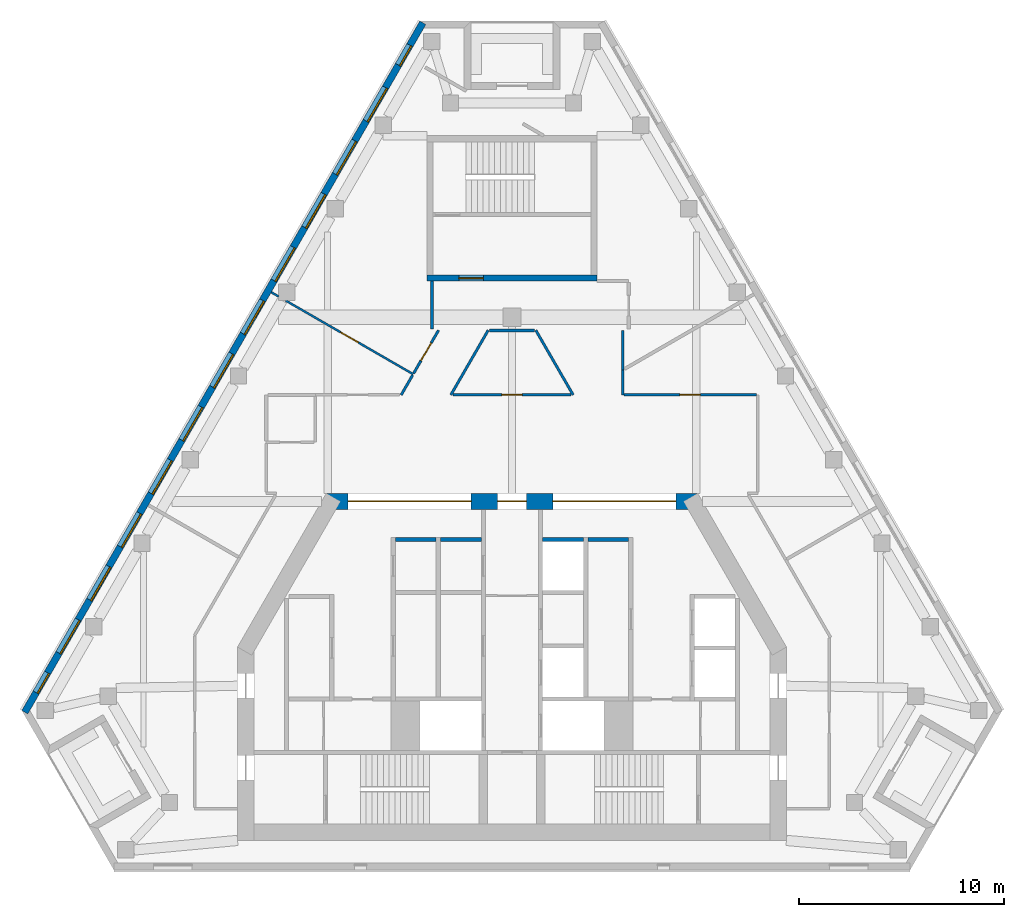
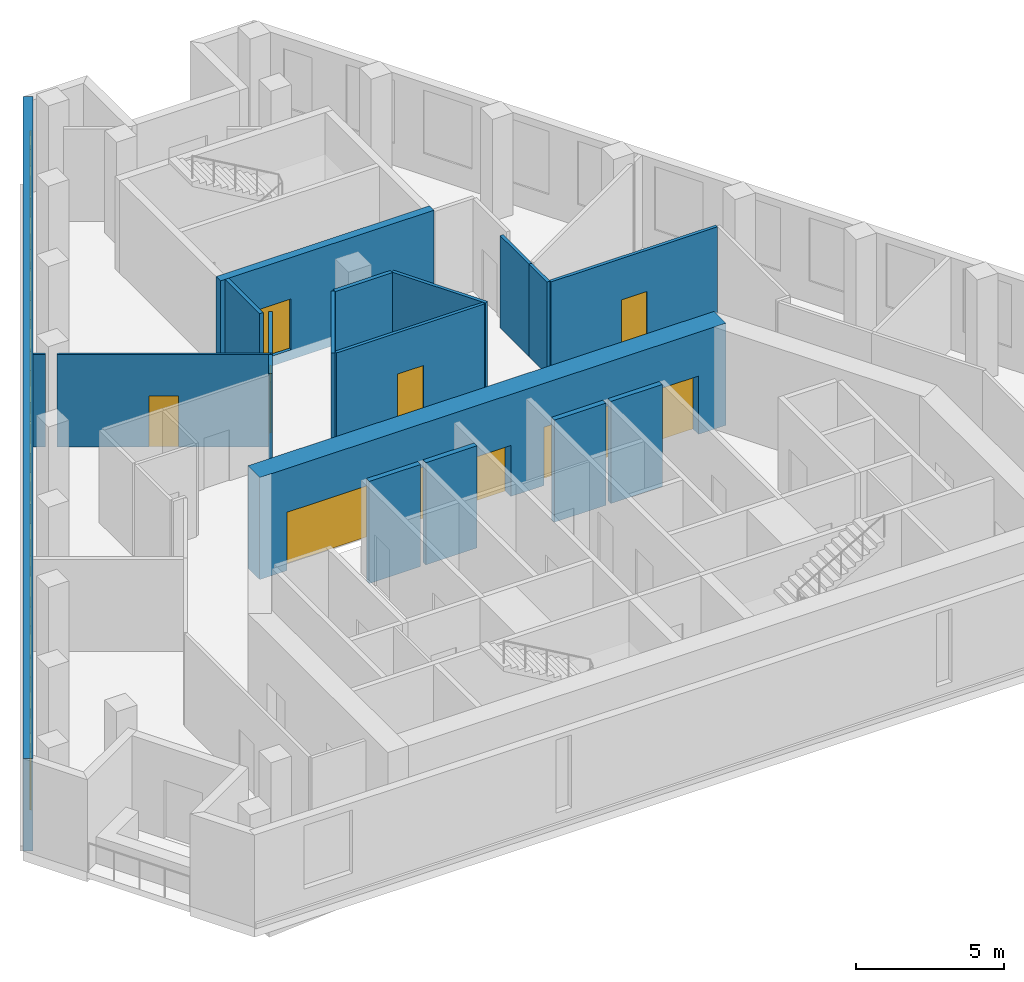
# One storey, part 4 of 8: 19 walls, 13 windows, 8 doors, 21 openings.
"""IFC4 building model written with IfcOpenShell, lengths in metres."""

from ifc_helpers import new_model, si_unit, direction, frame, frame_2d, origin, place, context, subcontext, project, spatial, rectangle, extrude, material, layer, layer_set, type_object, element, fill, save


model = new_model("IFC4")

# Units and contexts
model_context = context("Model", 3, precision=1e-05, world=origin(), true_north=direction((0.0, 1.0)))
body_context = subcontext(model_context, "Body", "Model", "MODEL_VIEW")
ifc_project = project(units=[si_unit("LENGTHUNIT", "METRE"), si_unit("AREAUNIT", "SQUARE_METRE"), si_unit("VOLUMEUNIT", "CUBIC_METRE"), si_unit("PLANEANGLEUNIT", "RADIAN"), si_unit("MASSUNIT", "GRAM", prefix="KILO")], contexts=[model_context])

# Site, building, storey
site_placement = place(None, origin())
site = spatial("IfcSite", under=ifc_project, at=site_placement, CompositionType="ELEMENT")
building_placement = place(site_placement, origin())
building = spatial("IfcBuilding", under=site, at=building_placement, Name="Fogline Exchange Tower", CompositionType="ELEMENT")
storey_placement = place(building_placement, frame((0.0, 0.0, 335.10009765625)))
storey = spatial("IfcBuildingStorey", under=building, at=storey_placement, Name="L76", CompositionType="ELEMENT", Elevation=335.10009765625)

# Walls
ifc_material_1 = material(Name="Concrete C40", Category="concrete")
ifc_layer_1 = layer(ifc_material_1, 0.199951171875)
ifc_layer_set_1 = layer_set([ifc_layer_1], Name="CW20S")
wall_type_1 = type_object("IfcWallType", Name="CW20S", PredefinedType="SOLIDWALL", material=ifc_layer_set_1)
for number, where, z_axis, x_axis, name in (
    (1, (-5.699951171875, 16.14990234375, -0.400146484375), (0.0, 0.0, 1.0), (1.0, 0.0, 0.0), "Lift shaft wall"),
    (2, (-3.5, 16.14990234375, -0.400146484375), (0.0, 0.0, 1.0), (1.0, 0.0, 0.0), "Lift shaft wall"),
    (3, (3.699951171875, 16.14990234375, -0.400146484375), (0.0, 0.0, 1.0), (1.0, 0.0, 0.0), "Lift shaft wall"),
    (4, (1.5, 16.14990234375, -0.400146484375), (0.0, 0.0, 1.0), (1.0, 0.0, 0.0), "Lift shaft wall"),
):
    element("IfcWall", number, at=place(storey_placement, frame(where, z_axis=z_axis, x_axis=x_axis)), inside=storey, type_object=wall_type_1, Name=name, PredefinedType="SOLIDWALL", context=body_context, shape_type="SweptSolid", body=[
        extrude(rectangle(XDim=2.0, YDim=0.199951171875, at=frame_2d((1.0, 0.0))), origin(), (0.0, 0.0, 1.0), 4.199951171875),
    ])

# Wall, opening, door
ifc_layer_2 = layer(ifc_material_1, 0.300048828125)
ifc_layer_set_2 = layer_set([ifc_layer_2], Name="CW30")
wall_type_2 = type_object("IfcWallType", Name="CW30", PredefinedType="SOLIDWALL", material=ifc_layer_set_2)
wall_1_placement = place(storey_placement, frame((-4.14990234375, 28.906982421875, -0.400146484375), z_axis=(0.0, 0.0, 1.0), x_axis=(1.0, 0.0, 0.0)))
wall_1 = element("IfcWall", 5, at=wall_1_placement, inside=storey, type_object=wall_type_2, Name="Stair enclosure wall ST3", PredefinedType="SOLIDWALL", context=body_context, shape_type="SweptSolid", body=[
    extrude(rectangle(XDim=8.2998046875, YDim=0.300048828125, at=frame_2d((4.14990234375, 0.0))), origin(), (0.0, 0.0, 1.0), 4.199951171875),
])
opening_1_placement = place(wall_1_placement, frame((1.550048828125, 0.0, 0.39990234375)))
opening_1 = element("IfcOpeningElement", 6, at=opening_1_placement, cuts=wall_1, Name="Opening T24-C023", PredefinedType="OPENING", context=body_context, shape_type="SweptSolid", body=[
    extrude(rectangle(XDim=1.199951171875, YDim=2.10009765625, at=frame_2d((0.60009765625, 1.050048828125))), frame((0.0, 0.16015625, 0.0), z_axis=(0.0, -1.0, 0.0), x_axis=(1.0, 0.0, 0.0)), (0.0, 0.0, 1.0), 0.320068359375),
])
ifc_material_2 = material(Name="Steel and timber fire door", Category="steel")
door_type_1 = type_object("IfcDoorType", Name="D-FR1", OperationType="SINGLE_SWING_RIGHT", PredefinedType="DOOR", material=ifc_material_2)
door_1_placement = place(opening_1_placement, origin())
door_1 = element("IfcDoor", 7, at=door_1_placement, inside=storey, type_object=door_type_1, Name="Front room door ST3", OperationType="SINGLE_SWING_LEFT", OverallHeight=2.10009765625, OverallWidth=1.199951171875, PredefinedType="DOOR", context=body_context, shape_type="SweptSolid", body=[
    extrude(rectangle(XDim=1.199951171875, YDim=2.10009765625, at=frame_2d((0.60009765625, 1.050048828125))), frame((0.0, 0.02490234375, 0.0), z_axis=(0.0, -1.0, 0.0), x_axis=(1.0, 0.0, 0.0)), (0.0, 0.0, 1.0), 0.050048828125),
])
fill(opening_1, door_1)

# Wall, openings, windows
ifc_material_3 = material(Name="Brick masonry", Category="masonry")
ifc_layer_3 = layer(ifc_material_3, 0.340087890625)
ifc_layer_set_3 = layer_set([ifc_layer_3], Name="FW1")
wall_type_3 = type_object("IfcWallType", Name="FW1", PredefinedType="SOLIDWALL", material=ifc_layer_set_3)
wall_2_placement = place(storey_placement, frame((-4.352783203125, 41.37158203125, 0.0), z_axis=(0.0, 0.0, 1.0), x_axis=(-0.500001731347, -0.866024404189, 0.0)))
wall_2 = element("IfcWall", 8, at=wall_2_placement, inside=storey, type_object=wall_type_3, Name="Brick wall L76 W", PredefinedType="SOLIDWALL", context=body_context, shape_type="SweptSolid", body=[
    extrude(rectangle(XDim=38.869873046875, YDim=0.340087890625, at=frame_2d((19.43505859375, 0.0))), origin(), (0.0, 0.0, 1.0), 3.7998046875),
])
opening_2_placement = place(wall_2_placement, frame((3.652587890625, 0.0, 0.89990234375)))
opening_2 = element("IfcOpeningElement", 9, at=opening_2_placement, cuts=wall_2, Name="Opening W3", PredefinedType="OPENING", context=body_context, shape_type="SweptSolid", body=[
    extrude(rectangle(XDim=1.885009765625, YDim=2.60009765625, at=frame_2d((0.9423828125, 1.300048828125))), frame((0.0, 0.18017578125, 0.0), z_axis=(0.0, -1.0, 0.0), x_axis=(1.0, 0.0, 0.0)), (0.0, 0.0, 1.0), 0.360107421875),
])
opening_3_placement = place(wall_2_placement, frame((6.652587890625, 0.0, 0.89990234375)))
opening_3 = element("IfcOpeningElement", 10, at=opening_3_placement, cuts=wall_2, Name="Opening W3", PredefinedType="OPENING", context=body_context, shape_type="SweptSolid", body=[
    extrude(rectangle(XDim=1.885009765625, YDim=2.60009765625, at=frame_2d((0.9423828125, 1.300048828125))), frame((0.0, 0.18017578125, 0.0), z_axis=(0.0, -1.0, 0.0), x_axis=(1.0, 0.0, 0.0)), (0.0, 0.0, 1.0), 0.360107421875),
])
opening_4_placement = place(wall_2_placement, frame((9.652587890625, 0.0, 0.89990234375)))
opening_4 = element("IfcOpeningElement", 11, at=opening_4_placement, cuts=wall_2, Name="Opening W3", PredefinedType="OPENING", context=body_context, shape_type="SweptSolid", body=[
    extrude(rectangle(XDim=1.885009765625, YDim=2.60009765625, at=frame_2d((0.9423828125, 1.300048828125))), frame((0.0, 0.18017578125, 0.0), z_axis=(0.0, -1.0, 0.0), x_axis=(1.0, 0.0, 0.0)), (0.0, 0.0, 1.0), 0.360107421875),
])
opening_5_placement = place(wall_2_placement, frame((12.652587890625, 0.0, 0.89990234375)))
opening_5 = element("IfcOpeningElement", 12, at=opening_5_placement, cuts=wall_2, Name="Opening W3", PredefinedType="OPENING", context=body_context, shape_type="SweptSolid", body=[
    extrude(rectangle(XDim=1.885009765625, YDim=2.60009765625, at=frame_2d((0.9423828125, 1.300048828125))), frame((0.0, 0.18017578125, 0.0), z_axis=(0.0, -1.0, 0.0), x_axis=(1.0, 0.0, 0.0)), (0.0, 0.0, 1.0), 0.360107421875),
])
opening_6_placement = place(wall_2_placement, frame((15.652587890625, 0.0, 0.89990234375)))
opening_6 = element("IfcOpeningElement", 13, at=opening_6_placement, cuts=wall_2, Name="Opening W3", PredefinedType="OPENING", context=body_context, shape_type="SweptSolid", body=[
    extrude(rectangle(XDim=1.885009765625, YDim=2.60009765625, at=frame_2d((0.9423828125, 1.300048828125))), frame((0.0, 0.18017578125, 0.0), z_axis=(0.0, -1.0, 0.0), x_axis=(1.0, 0.0, 0.0)), (0.0, 0.0, 1.0), 0.360107421875),
])
opening_7_placement = place(wall_2_placement, frame((18.652587890625, 0.0, 0.89990234375)))
opening_7 = element("IfcOpeningElement", 14, at=opening_7_placement, cuts=wall_2, Name="Opening W3", PredefinedType="OPENING", context=body_context, shape_type="SweptSolid", body=[
    extrude(rectangle(XDim=1.885009765625, YDim=2.60009765625, at=frame_2d((0.9423828125, 1.300048828125))), frame((0.0, 0.18017578125, 0.0), z_axis=(0.0, -1.0, 0.0), x_axis=(1.0, 0.0, 0.0)), (0.0, 0.0, 1.0), 0.360107421875),
])
opening_8_placement = place(wall_2_placement, frame((21.652587890625, 0.0, 0.89990234375)))
opening_8 = element("IfcOpeningElement", 15, at=opening_8_placement, cuts=wall_2, Name="Opening W3", PredefinedType="OPENING", context=body_context, shape_type="SweptSolid", body=[
    extrude(rectangle(XDim=1.885009765625, YDim=2.60009765625, at=frame_2d((0.9423828125, 1.300048828125))), frame((0.0, 0.18017578125, 0.0), z_axis=(0.0, -1.0, 0.0), x_axis=(1.0, 0.0, 0.0)), (0.0, 0.0, 1.0), 0.360107421875),
])
opening_9_placement = place(wall_2_placement, frame((24.652587890625, 0.0, 0.89990234375)))
opening_9 = element("IfcOpeningElement", 16, at=opening_9_placement, cuts=wall_2, Name="Opening W3", PredefinedType="OPENING", context=body_context, shape_type="SweptSolid", body=[
    extrude(rectangle(XDim=1.885009765625, YDim=2.60009765625, at=frame_2d((0.9423828125, 1.300048828125))), frame((0.0, 0.18017578125, 0.0), z_axis=(0.0, -1.0, 0.0), x_axis=(1.0, 0.0, 0.0)), (0.0, 0.0, 1.0), 0.360107421875),
])
opening_10_placement = place(wall_2_placement, frame((27.652587890625, 0.0, 0.89990234375)))
opening_10 = element("IfcOpeningElement", 17, at=opening_10_placement, cuts=wall_2, Name="Opening W3", PredefinedType="OPENING", context=body_context, shape_type="SweptSolid", body=[
    extrude(rectangle(XDim=1.885009765625, YDim=2.60009765625, at=frame_2d((0.9423828125, 1.300048828125))), frame((0.0, 0.18017578125, 0.0), z_axis=(0.0, -1.0, 0.0), x_axis=(1.0, 0.0, 0.0)), (0.0, 0.0, 1.0), 0.360107421875),
])
opening_11_placement = place(wall_2_placement, frame((30.652587890625, 0.0, 0.89990234375)))
opening_11 = element("IfcOpeningElement", 18, at=opening_11_placement, cuts=wall_2, Name="Opening W3", PredefinedType="OPENING", context=body_context, shape_type="SweptSolid", body=[
    extrude(rectangle(XDim=1.885009765625, YDim=2.60009765625, at=frame_2d((0.9423828125, 1.300048828125))), frame((0.0, 0.18017578125, 0.0), z_axis=(0.0, -1.0, 0.0), x_axis=(1.0, 0.0, 0.0)), (0.0, 0.0, 1.0), 0.360107421875),
])
opening_12_placement = place(wall_2_placement, frame((33.652587890625, 0.0, 0.89990234375)))
opening_12 = element("IfcOpeningElement", 19, at=opening_12_placement, cuts=wall_2, Name="Opening W3", PredefinedType="OPENING", context=body_context, shape_type="SweptSolid", body=[
    extrude(rectangle(XDim=1.885009765625, YDim=2.60009765625, at=frame_2d((0.9423828125, 1.300048828125))), frame((0.0, 0.18017578125, 0.0), z_axis=(0.0, -1.0, 0.0), x_axis=(1.0, 0.0, 0.0)), (0.0, 0.0, 1.0), 0.360107421875),
])
opening_13_placement = place(wall_2_placement, frame((1.268798828125, 0.0, 0.89990234375)))
opening_13 = element("IfcOpeningElement", 20, at=opening_13_placement, cuts=wall_2, Name="Opening W4", PredefinedType="OPENING", context=body_context, shape_type="SweptSolid", body=[
    extrude(rectangle(XDim=1.114990234375, YDim=2.39990234375, at=frame_2d((0.5576171875, 1.199951171875))), frame((0.0, 0.18017578125, 0.0), z_axis=(0.0, -1.0, 0.0), x_axis=(1.0, 0.0, 0.0)), (0.0, 0.0, 1.0), 0.360107421875),
])
opening_14_placement = place(wall_2_placement, frame((36.646240234375, 0.0, 0.89990234375)))
opening_14 = element("IfcOpeningElement", 21, at=opening_14_placement, cuts=wall_2, Name="Opening W4", PredefinedType="OPENING", context=body_context, shape_type="SweptSolid", body=[
    extrude(rectangle(XDim=1.114990234375, YDim=2.39990234375, at=frame_2d((0.5576171875, 1.199951171875))), frame((0.0, 0.18017578125, 0.0), z_axis=(0.0, -1.0, 0.0), x_axis=(1.0, 0.0, 0.0)), (0.0, 0.0, 1.0), 0.360107421875),
])
ifc_material_4 = material(Name="Aluminium and glass", Category="aluminium")
window_type_1 = type_object("IfcWindowType", Name="W3", PartitioningType="SINGLE_PANEL", PredefinedType="WINDOW", material=ifc_material_4)
window_1_placement = place(opening_2_placement, origin())
window_1 = element("IfcWindow", 22, at=window_1_placement, inside=storey, type_object=window_type_1, Name="W3 W3", OverallHeight=2.60009765625, OverallWidth=1.885009765625, PartitioningType="SINGLE_PANEL", PredefinedType="WINDOW", context=body_context, shape_type="SweptSolid", body=[
    extrude(rectangle(XDim=1.885009765625, YDim=2.60009765625, at=frame_2d((0.9423828125, 1.300048828125))), frame((0.0, 0.110107421875, 0.0), z_axis=(0.0, -1.0, 0.0), x_axis=(1.0, 0.0, 0.0)), (0.0, 0.0, 1.0), 0.06005859375),
])
fill(opening_2, window_1)
window_2_placement = place(opening_3_placement, origin())
window_2 = element("IfcWindow", 23, at=window_2_placement, inside=storey, type_object=window_type_1, Name="W3 W3", OverallHeight=2.60009765625, OverallWidth=1.885009765625, PartitioningType="SINGLE_PANEL", PredefinedType="WINDOW", context=body_context, shape_type="SweptSolid", body=[
    extrude(rectangle(XDim=1.885009765625, YDim=2.60009765625, at=frame_2d((0.9423828125, 1.300048828125))), frame((0.0, 0.110107421875, 0.0), z_axis=(0.0, -1.0, 0.0), x_axis=(1.0, 0.0, 0.0)), (0.0, 0.0, 1.0), 0.06005859375),
])
fill(opening_3, window_2)
window_3_placement = place(opening_4_placement, origin())
window_3 = element("IfcWindow", 24, at=window_3_placement, inside=storey, type_object=window_type_1, Name="W3 W3", OverallHeight=2.60009765625, OverallWidth=1.885009765625, PartitioningType="SINGLE_PANEL", PredefinedType="WINDOW", context=body_context, shape_type="SweptSolid", body=[
    extrude(rectangle(XDim=1.885009765625, YDim=2.60009765625, at=frame_2d((0.9423828125, 1.300048828125))), frame((0.0, 0.110107421875, 0.0), z_axis=(0.0, -1.0, 0.0), x_axis=(1.0, 0.0, 0.0)), (0.0, 0.0, 1.0), 0.06005859375),
])
fill(opening_4, window_3)
window_4_placement = place(opening_5_placement, origin())
window_4 = element("IfcWindow", 25, at=window_4_placement, inside=storey, type_object=window_type_1, Name="W3 W3", OverallHeight=2.60009765625, OverallWidth=1.885009765625, PartitioningType="SINGLE_PANEL", PredefinedType="WINDOW", context=body_context, shape_type="SweptSolid", body=[
    extrude(rectangle(XDim=1.885009765625, YDim=2.60009765625, at=frame_2d((0.9423828125, 1.300048828125))), frame((0.0, 0.110107421875, 0.0), z_axis=(0.0, -1.0, 0.0), x_axis=(1.0, 0.0, 0.0)), (0.0, 0.0, 1.0), 0.06005859375),
])
fill(opening_5, window_4)
window_5_placement = place(opening_6_placement, origin())
window_5 = element("IfcWindow", 26, at=window_5_placement, inside=storey, type_object=window_type_1, Name="W3 W3", OverallHeight=2.60009765625, OverallWidth=1.885009765625, PartitioningType="SINGLE_PANEL", PredefinedType="WINDOW", context=body_context, shape_type="SweptSolid", body=[
    extrude(rectangle(XDim=1.885009765625, YDim=2.60009765625, at=frame_2d((0.9423828125, 1.300048828125))), frame((0.0, 0.110107421875, 0.0), z_axis=(0.0, -1.0, 0.0), x_axis=(1.0, 0.0, 0.0)), (0.0, 0.0, 1.0), 0.06005859375),
])
fill(opening_6, window_5)
window_6_placement = place(opening_7_placement, origin())
window_6 = element("IfcWindow", 27, at=window_6_placement, inside=storey, type_object=window_type_1, Name="W3 W3", OverallHeight=2.60009765625, OverallWidth=1.885009765625, PartitioningType="SINGLE_PANEL", PredefinedType="WINDOW", context=body_context, shape_type="SweptSolid", body=[
    extrude(rectangle(XDim=1.885009765625, YDim=2.60009765625, at=frame_2d((0.9423828125, 1.300048828125))), frame((0.0, 0.110107421875, 0.0), z_axis=(0.0, -1.0, 0.0), x_axis=(1.0, 0.0, 0.0)), (0.0, 0.0, 1.0), 0.06005859375),
])
fill(opening_7, window_6)
window_7_placement = place(opening_8_placement, origin())
window_7 = element("IfcWindow", 28, at=window_7_placement, inside=storey, type_object=window_type_1, Name="W3 W3", OverallHeight=2.60009765625, OverallWidth=1.885009765625, PartitioningType="SINGLE_PANEL", PredefinedType="WINDOW", context=body_context, shape_type="SweptSolid", body=[
    extrude(rectangle(XDim=1.885009765625, YDim=2.60009765625, at=frame_2d((0.9423828125, 1.300048828125))), frame((0.0, 0.110107421875, 0.0), z_axis=(0.0, -1.0, 0.0), x_axis=(1.0, 0.0, 0.0)), (0.0, 0.0, 1.0), 0.06005859375),
])
fill(opening_8, window_7)
window_8_placement = place(opening_9_placement, origin())
window_8 = element("IfcWindow", 29, at=window_8_placement, inside=storey, type_object=window_type_1, Name="W3 W3", OverallHeight=2.60009765625, OverallWidth=1.885009765625, PartitioningType="SINGLE_PANEL", PredefinedType="WINDOW", context=body_context, shape_type="SweptSolid", body=[
    extrude(rectangle(XDim=1.885009765625, YDim=2.60009765625, at=frame_2d((0.9423828125, 1.300048828125))), frame((0.0, 0.110107421875, 0.0), z_axis=(0.0, -1.0, 0.0), x_axis=(1.0, 0.0, 0.0)), (0.0, 0.0, 1.0), 0.06005859375),
])
fill(opening_9, window_8)
window_9_placement = place(opening_10_placement, origin())
window_9 = element("IfcWindow", 30, at=window_9_placement, inside=storey, type_object=window_type_1, Name="W3 W3", OverallHeight=2.60009765625, OverallWidth=1.885009765625, PartitioningType="SINGLE_PANEL", PredefinedType="WINDOW", context=body_context, shape_type="SweptSolid", body=[
    extrude(rectangle(XDim=1.885009765625, YDim=2.60009765625, at=frame_2d((0.9423828125, 1.300048828125))), frame((0.0, 0.110107421875, 0.0), z_axis=(0.0, -1.0, 0.0), x_axis=(1.0, 0.0, 0.0)), (0.0, 0.0, 1.0), 0.06005859375),
])
fill(opening_10, window_9)
window_10_placement = place(opening_11_placement, origin())
window_10 = element("IfcWindow", 31, at=window_10_placement, inside=storey, type_object=window_type_1, Name="W3 W3", OverallHeight=2.60009765625, OverallWidth=1.885009765625, PartitioningType="SINGLE_PANEL", PredefinedType="WINDOW", context=body_context, shape_type="SweptSolid", body=[
    extrude(rectangle(XDim=1.885009765625, YDim=2.60009765625, at=frame_2d((0.9423828125, 1.300048828125))), frame((0.0, 0.110107421875, 0.0), z_axis=(0.0, -1.0, 0.0), x_axis=(1.0, 0.0, 0.0)), (0.0, 0.0, 1.0), 0.06005859375),
])
fill(opening_11, window_10)
window_11_placement = place(opening_12_placement, origin())
window_11 = element("IfcWindow", 32, at=window_11_placement, inside=storey, type_object=window_type_1, Name="W3 W3", OverallHeight=2.60009765625, OverallWidth=1.885009765625, PartitioningType="SINGLE_PANEL", PredefinedType="WINDOW", context=body_context, shape_type="SweptSolid", body=[
    extrude(rectangle(XDim=1.885009765625, YDim=2.60009765625, at=frame_2d((0.9423828125, 1.300048828125))), frame((0.0, 0.110107421875, 0.0), z_axis=(0.0, -1.0, 0.0), x_axis=(1.0, 0.0, 0.0)), (0.0, 0.0, 1.0), 0.06005859375),
])
fill(opening_12, window_11)
window_type_2 = type_object("IfcWindowType", Name="W4", PartitioningType="SINGLE_PANEL", PredefinedType="WINDOW", material=ifc_material_4)
window_12_placement = place(opening_13_placement, origin())
window_12 = element("IfcWindow", 33, at=window_12_placement, inside=storey, type_object=window_type_2, Name="W4 W4", OverallHeight=2.39990234375, OverallWidth=1.114990234375, PartitioningType="SINGLE_PANEL", PredefinedType="WINDOW", context=body_context, shape_type="SweptSolid", body=[
    extrude(rectangle(XDim=1.114990234375, YDim=2.39990234375, at=frame_2d((0.5576171875, 1.199951171875))), frame((0.0, 0.110107421875, 0.0), z_axis=(0.0, -1.0, 0.0), x_axis=(1.0, 0.0, 0.0)), (0.0, 0.0, 1.0), 0.06005859375),
])
fill(opening_13, window_12)
window_13_placement = place(opening_14_placement, origin())
window_13 = element("IfcWindow", 34, at=window_13_placement, inside=storey, type_object=window_type_2, Name="W4 W4", OverallHeight=2.39990234375, OverallWidth=1.114990234375, PartitioningType="SINGLE_PANEL", PredefinedType="WINDOW", context=body_context, shape_type="SweptSolid", body=[
    extrude(rectangle(XDim=1.114990234375, YDim=2.39990234375, at=frame_2d((0.5576171875, 1.199951171875))), frame((0.0, 0.110107421875, 0.0), z_axis=(0.0, -1.0, 0.0), x_axis=(1.0, 0.0, 0.0)), (0.0, 0.0, 1.0), 0.06005859375),
])
fill(opening_14, window_13)

# Wall, opening, door
ifc_material_5 = material(Name="Plasterboard partition, 2 layers each side on steel studs", Category="steel")
ifc_layer_4 = layer(ifc_material_5, 0.10009765625)
ifc_layer_set_4 = layer_set([ifc_layer_4], Name="PW1")
wall_type_4 = type_object("IfcWallType", Name="PW1", PredefinedType="PARTITIONING", material=ifc_layer_set_4)
wall_3_placement = place(storey_placement, frame((-4.824951171875, 24.214111328125, 0.0), z_axis=(0.0, 0.0, 1.0), x_axis=(-0.866037970569, 0.499978233058, 0.0)))
wall_3 = element("IfcWall", 35, at=wall_3_placement, inside=storey, type_object=wall_type_4, Name="wall-L76-W033", PredefinedType="PARTITIONING", context=body_context, shape_type="SweptSolid", body=[
    extrude(rectangle(XDim=7.188232421875, YDim=0.10009765625, at=frame_2d((3.59423828125, 0.0))), origin(), (0.0, 0.0, 1.0), 3.7998046875),
])
opening_15_placement = place(wall_3_placement, frame((3.09423828125, 0.0, 0.0)))
opening_15 = element("IfcOpeningElement", 36, at=opening_15_placement, cuts=wall_3, Name="Opening T24-D009", PredefinedType="OPENING", context=body_context, shape_type="SweptSolid", body=[
    extrude(rectangle(XDim=1.0, YDim=2.10009765625, at=frame_2d((0.5, 1.050048828125))), frame((0.0, 0.06005859375, 0.0), z_axis=(0.0, -1.0, 0.0), x_axis=(1.0, 0.0, 0.0)), (0.0, 0.0, 1.0), 0.1201171875),
])
ifc_material_6 = material(Name="Timber door leaf with steel frame", Category="steel")
door_type_2 = type_object("IfcDoorType", Name="D1", OperationType="SINGLE_SWING_LEFT", PredefinedType="DOOR", material=ifc_material_6)
door_2_placement = place(opening_15_placement, origin())
door_2 = element("IfcDoor", 37, at=door_2_placement, inside=storey, type_object=door_type_2, Name="door-L76-D009", OperationType="SINGLE_SWING_LEFT", OverallHeight=2.10009765625, OverallWidth=1.0, PredefinedType="DOOR", context=body_context, shape_type="SweptSolid", body=[
    extrude(rectangle(XDim=1.0, YDim=2.10009765625, at=frame_2d((0.5, 1.050048828125))), frame((0.0, 0.02490234375, 0.0), z_axis=(0.0, -1.0, 0.0), x_axis=(1.0, 0.0, 0.0)), (0.0, 0.0, 1.0), 0.050048828125),
])
fill(opening_15, door_2)

# Wall
wall_4_placement = place(storey_placement, frame((-11.394287109375, 28.0068359375, 0.0), z_axis=(0.0, 0.0, 1.0), x_axis=(-0.865950118807, 0.50013037474, 0.0)))
element("IfcWall", 38, at=wall_4_placement, inside=storey, type_object=wall_type_4, Name="wall-L76-W034", PredefinedType="PARTITIONING", context=body_context, shape_type="SweptSolid", body=[
    extrude(rectangle(XDim=0.41455078125, YDim=0.10009765625, at=frame_2d((0.207275390625, 0.0))), origin(), (0.0, 0.0, 1.0), 3.7998046875),
])

# Wall, opening, door
ifc_material_7 = material(Name="Plasterboard corridor partition with mineral wool, 2 layers each side")
ifc_layer_5 = layer(ifc_material_7, 0.125)
ifc_layer_set_5 = layer_set([ifc_layer_5], Name="PW2")
wall_type_5 = type_object("IfcWallType", Name="PW2", PredefinedType="PARTITIONING", material=ifc_layer_set_5)
wall_5_placement = place(storey_placement, frame((5.46240234375, 23.199951171875, 0.0), z_axis=(0.0, 0.0, 1.0), x_axis=(1.0, 0.0, 0.0)))
wall_5 = element("IfcWall", 39, at=wall_5_placement, inside=storey, type_object=wall_type_5, Name="wall-L76-W005", PredefinedType="PARTITIONING", context=body_context, shape_type="SweptSolid", body=[
    extrude(rectangle(XDim=6.47509765625, YDim=0.125, at=frame_2d((3.237548828125, 0.0))), origin(), (0.0, 0.0, 1.0), 3.7998046875),
])
opening_16_placement = place(wall_5_placement, frame((2.737548828125, 0.0, 0.0)))
opening_16 = element("IfcOpeningElement", 40, at=opening_16_placement, cuts=wall_5, Name="Opening T24-D002", PredefinedType="OPENING", context=body_context, shape_type="SweptSolid", body=[
    extrude(rectangle(XDim=1.0, YDim=2.10009765625, at=frame_2d((0.5, 1.050048828125))), frame((0.0, 0.072509765625, 0.0), z_axis=(0.0, -1.0, 0.0), x_axis=(1.0, 0.0, 0.0)), (0.0, 0.0, 1.0), 0.14501953125),
])
ifc_material_8 = material(Name="Fire-rated timber door leaf with steel frame", Category="steel")
door_type_3 = type_object("IfcDoorType", Name="D3", OperationType="SINGLE_SWING_LEFT", PredefinedType="DOOR", material=ifc_material_8)
door_3_placement = place(opening_16_placement, origin())
door_3 = element("IfcDoor", 41, at=door_3_placement, inside=storey, type_object=door_type_3, Name="door-L76-D002", OperationType="SINGLE_SWING_LEFT", OverallHeight=2.10009765625, OverallWidth=1.0, PredefinedType="DOOR", context=body_context, shape_type="SweptSolid", body=[
    extrude(rectangle(XDim=1.0, YDim=2.10009765625, at=frame_2d((0.5, 1.050048828125))), frame((0.0, 0.02490234375, 0.0), z_axis=(0.0, -1.0, 0.0), x_axis=(1.0, 0.0, 0.0)), (0.0, 0.0, 1.0), 0.050048828125),
])
fill(opening_16, door_3)

wall_6_placement = place(storey_placement, frame((-2.876708984375, 23.199951171875, 0.0), z_axis=(0.0, 0.0, 1.0), x_axis=(1.0, 0.0, 0.0)))
wall_6 = element("IfcWall", 42, at=wall_6_placement, inside=storey, type_object=wall_type_5, Name="wall-L76-W008", PredefinedType="PARTITIONING", context=body_context, shape_type="SweptSolid", body=[
    extrude(rectangle(XDim=5.75341796875, YDim=0.125, at=frame_2d((2.876708984375, 0.0))), origin(), (0.0, 0.0, 1.0), 3.7998046875),
])
opening_17_placement = place(wall_6_placement, frame((2.376708984375, 0.0, 0.0)))
opening_17 = element("IfcOpeningElement", 43, at=opening_17_placement, cuts=wall_6, Name="Opening T24-D003", PredefinedType="OPENING", context=body_context, shape_type="SweptSolid", body=[
    extrude(rectangle(XDim=1.0, YDim=2.10009765625, at=frame_2d((0.5, 1.050048828125))), frame((0.0, 0.072509765625, 0.0), z_axis=(0.0, -1.0, 0.0), x_axis=(1.0, 0.0, 0.0)), (0.0, 0.0, 1.0), 0.14501953125),
])
door_4_placement = place(opening_17_placement, origin())
door_4 = element("IfcDoor", 44, at=door_4_placement, inside=storey, type_object=door_type_3, Name="door-L76-D003", OperationType="SINGLE_SWING_LEFT", OverallHeight=2.10009765625, OverallWidth=1.0, PredefinedType="DOOR", context=body_context, shape_type="SweptSolid", body=[
    extrude(rectangle(XDim=1.0, YDim=2.10009765625, at=frame_2d((0.5, 1.050048828125))), frame((0.0, 0.02490234375, 0.0), z_axis=(0.0, -1.0, 0.0), x_axis=(1.0, 0.0, 0.0)), (0.0, 0.0, 1.0), 0.050048828125),
])
fill(opening_17, door_4)

# Wall
wall_7_placement = place(storey_placement, frame((-1.16259765625, 26.35693359375, 0.0), z_axis=(0.0, 0.0, 1.0), x_axis=(-0.500014248385, -0.866017177319, 0.0)))
element("IfcWall", 45, at=wall_7_placement, inside=storey, type_object=wall_type_5, Name="wall-L76-W022", PredefinedType="PARTITIONING", context=body_context, shape_type="SweptSolid", body=[
    extrude(rectangle(XDim=3.6455078125, YDim=0.125, at=frame_2d((1.82275390625, 0.0))), origin(), (0.0, 0.0, 1.0), 3.7998046875),
])

# Wall, opening, door
wall_8_placement = place(storey_placement, frame((-4.799560546875, 24.2578125, 0.0), z_axis=(0.0, 0.0, 1.0), x_axis=(0.499995647607, 0.866027916625, 0.0)))
wall_8 = element("IfcWall", 46, at=wall_8_placement, inside=storey, type_object=wall_type_5, Name="wall-L76-W023", PredefinedType="PARTITIONING", context=body_context, shape_type="SweptSolid", body=[
    extrude(rectangle(XDim=2.423828125, YDim=0.125, at=frame_2d((1.2119140625, 0.0))), origin(), (0.0, 0.0, 1.0), 3.7998046875),
])
opening_18_placement = place(wall_8_placement, frame((0.7119140625, 0.0, 0.0)))
opening_18 = element("IfcOpeningElement", 47, at=opening_18_placement, cuts=wall_8, Name="Opening T24-D008", PredefinedType="OPENING", context=body_context, shape_type="SweptSolid", body=[
    extrude(rectangle(XDim=1.0, YDim=2.10009765625, at=frame_2d((0.5, 1.050048828125))), frame((0.0, 0.072509765625, 0.0), z_axis=(0.0, -1.0, 0.0), x_axis=(1.0, 0.0, 0.0)), (0.0, 0.0, 1.0), 0.14501953125),
])
door_5_placement = place(opening_18_placement, origin())
door_5 = element("IfcDoor", 48, at=door_5_placement, inside=storey, type_object=door_type_3, Name="door-L76-D008", OperationType="SINGLE_SWING_RIGHT", OverallHeight=2.10009765625, OverallWidth=1.0, PredefinedType="DOOR", context=body_context, shape_type="SweptSolid", body=[
    extrude(rectangle(XDim=1.0, YDim=2.10009765625, at=frame_2d((0.5, 1.050048828125))), frame((0.0, 0.02490234375, 0.0), z_axis=(0.0, -1.0, 0.0), x_axis=(1.0, 0.0, 0.0)), (0.0, 0.0, 1.0), 0.050048828125),
])
fill(opening_18, door_5)

# Walls
wall_9_placement = place(storey_placement, frame((-5.410400390625, 23.199951171875, 0.0), z_axis=(0.0, 0.0, 1.0), x_axis=(0.500005339912, 0.866022320763, 0.0)))
element("IfcWall", 49, at=wall_9_placement, inside=storey, type_object=wall_type_5, Name="wall-L76-W024", PredefinedType="PARTITIONING", context=body_context, shape_type="SweptSolid", body=[
    extrude(rectangle(XDim=1.12060546875, YDim=0.125, at=frame_2d((0.560302734375, 0.0))), origin(), (0.0, 0.0, 1.0), 3.7998046875),
])
wall_10_placement = place(storey_placement, frame((2.9853515625, 23.199951171875, 0.0), z_axis=(0.0, 0.0, 1.0), x_axis=(-0.500014248385, 0.866017177319, 0.0)))
element("IfcWall", 50, at=wall_10_placement, inside=storey, type_object=wall_type_5, Name="wall-L76-W025", PredefinedType="PARTITIONING", context=body_context, shape_type="SweptSolid", body=[
    extrude(rectangle(XDim=3.6455078125, YDim=0.125, at=frame_2d((1.82275390625, 0.0))), origin(), (0.0, 0.0, 1.0), 3.7998046875),
])
wall_11_placement = place(storey_placement, frame((5.39990234375, 24.413330078125, 0.0), z_axis=(0.0, 0.0, 1.0), x_axis=(0.0, -1.0, 0.0)))
element("IfcWall", 51, at=wall_11_placement, inside=storey, type_object=wall_type_5, Name="wall-L76-W026", PredefinedType="PARTITIONING", context=body_context, shape_type="SweptSolid", body=[
    extrude(rectangle(XDim=1.21337890625, YDim=0.125, at=frame_2d((0.606689453125, 0.0))), origin(), (0.0, 0.0, 1.0), 3.7998046875),
])
wall_12_placement = place(storey_placement, frame((5.39990234375, 26.35693359375, 0.0), z_axis=(0.0, 0.0, 1.0), x_axis=(0.0, -1.0, 0.0)))
element("IfcWall", 52, at=wall_12_placement, inside=storey, type_object=wall_type_5, Name="wall-L76-W027", PredefinedType="PARTITIONING", context=body_context, shape_type="SweptSolid", body=[
    extrude(rectangle(XDim=1.943603515625, YDim=0.125, at=frame_2d((0.9716796875, 0.0))), origin(), (0.0, 0.0, 1.0), 3.7998046875),
])
ifc_material_9 = material(Name="Plasterboard stair lobby partition, 3 layers each side on steel studs", Category="steel")
ifc_layer_6 = layer(ifc_material_9, 0.14990234375)
ifc_layer_set_6 = layer_set([ifc_layer_6], Name="PW4")
wall_type_6 = type_object("IfcWallType", Name="PW4", PredefinedType="PARTITIONING", material=ifc_layer_set_6)
wall_13_placement = place(storey_placement, frame((1.10888671875, 26.35693359375, 0.0), z_axis=(0.0, 0.0, 1.0), x_axis=(-1.0, 0.0, 0.0)))
element("IfcWall", 53, at=wall_13_placement, inside=storey, type_object=wall_type_6, Name="wall-L76-W020", PredefinedType="PARTITIONING", context=body_context, shape_type="SweptSolid", body=[
    extrude(rectangle(XDim=2.217529296875, YDim=0.14990234375, at=frame_2d((1.10888671875, 0.0))), origin(), (0.0, 0.0, 1.0), 3.7998046875),
])
wall_14_placement = place(storey_placement, frame((-3.89990234375, 26.431884765625, 0.0), z_axis=(0.0, 0.0, 1.0), x_axis=(0.0, 1.0, 0.0)))
element("IfcWall", 54, at=wall_14_placement, inside=storey, type_object=wall_type_6, Name="wall-L76-W021", PredefinedType="PARTITIONING", context=body_context, shape_type="SweptSolid", body=[
    extrude(rectangle(XDim=2.3251953125, YDim=0.14990234375, at=frame_2d((1.16259765625, 0.0))), origin(), (0.0, 0.0, 1.0), 3.7998046875),
])

# Wall, openings, doors
ifc_material_10 = material(Name="Concrete C50", Category="concrete")
ifc_layer_7 = layer(ifc_material_10, 0.800048828125)
ifc_layer_set_7 = layer_set([ifc_layer_7], Name="SW04")
wall_type_7 = type_object("IfcWallType", Name="SW04", PredefinedType="SHEAR", material=ifc_layer_set_7)
wall_15_placement = place(storey_placement, frame((9.065185546875, 18.0, 0.0), z_axis=(0.0, 0.0, 1.0), x_axis=(-1.0, 0.0, 0.0)))
wall_15 = element("IfcWall", 55, at=wall_15_placement, inside=storey, type_object=wall_type_7, Name="L76-W904", PredefinedType="SHEAR", context=body_context, shape_type="SweptSolid", body=[
    extrude(rectangle(XDim=18.13037109375, YDim=0.800048828125, at=frame_2d((9.065185546875, 0.0))), origin(), (0.0, 0.0, 1.0), 4.199951171875),
])
opening_19_placement = place(wall_15_placement, frame((8.364990234375, 0.0, 0.0)))
opening_19 = element("IfcOpeningElement", 56, at=opening_19_placement, cuts=wall_15, Name="Opening T24-C020", PredefinedType="OPENING", context=body_context, shape_type="SweptSolid", body=[
    extrude(rectangle(XDim=1.39990234375, YDim=2.10009765625, at=frame_2d((0.699951171875, 1.050048828125))), frame((0.0, 0.41015625, 0.0), z_axis=(0.0, -1.0, 0.0), x_axis=(1.0, 0.0, 0.0)), (0.0, 0.0, 1.0), 0.820068359375),
])
opening_20_placement = place(wall_15_placement, frame((11.065185546875, 0.0, 0.0)))
opening_20 = element("IfcOpeningElement", 57, at=opening_20_placement, cuts=wall_15, Name="Opening T24-C021", PredefinedType="OPENING", context=body_context, shape_type="SweptSolid", body=[
    extrude(rectangle(XDim=6.0, YDim=2.39990234375, at=frame_2d((3.0, 1.199951171875))), frame((0.0, 0.41015625, 0.0), z_axis=(0.0, -1.0, 0.0), x_axis=(1.0, 0.0, 0.0)), (0.0, 0.0, 1.0), 0.820068359375),
])
opening_21_placement = place(wall_15_placement, frame((1.065185546875, 0.0, 0.0)))
opening_21 = element("IfcOpeningElement", 58, at=opening_21_placement, cuts=wall_15, Name="Opening T24-C022", PredefinedType="OPENING", context=body_context, shape_type="SweptSolid", body=[
    extrude(rectangle(XDim=6.0, YDim=2.39990234375, at=frame_2d((3.0, 1.199951171875))), frame((0.0, 0.41015625, 0.0), z_axis=(0.0, -1.0, 0.0), x_axis=(1.0, 0.0, 0.0)), (0.0, 0.0, 1.0), 0.820068359375),
])
door_type_4 = type_object("IfcDoorType", Name="D-LB1", OperationType="DOUBLE_DOOR_SINGLE_SWING", PredefinedType="DOOR", material=ifc_material_2)
door_6_placement = place(opening_19_placement, origin())
door_6 = element("IfcDoor", 59, at=door_6_placement, inside=storey, type_object=door_type_4, Name="Protected lobby door", OperationType="DOUBLE_DOOR_SINGLE_SWING", OverallHeight=2.10009765625, OverallWidth=1.39990234375, PredefinedType="DOOR", context=body_context, shape_type="SweptSolid", body=[
    extrude(rectangle(XDim=1.39990234375, YDim=2.10009765625, at=frame_2d((0.699951171875, 1.050048828125))), frame((0.0, 0.02490234375, 0.0), z_axis=(0.0, -1.0, 0.0), x_axis=(1.0, 0.0, 0.0)), (0.0, 0.0, 1.0), 0.050048828125),
])
fill(opening_19, door_6)
door_type_5 = type_object("IfcDoorType", Name="D-LE1", OperationType="DOUBLE_DOOR_SLIDING", PredefinedType="DOOR", material=ifc_material_2)
door_7_placement = place(opening_20_placement, origin())
door_7 = element("IfcDoor", 60, at=door_7_placement, inside=storey, type_object=door_type_5, Name="Lift lobby entrance west", OperationType="DOUBLE_DOOR_SLIDING", OverallHeight=2.39990234375, OverallWidth=6.0, PredefinedType="DOOR", context=body_context, shape_type="SweptSolid", body=[
    extrude(rectangle(XDim=6.0, YDim=2.39990234375, at=frame_2d((3.0, 1.199951171875))), frame((0.0, 0.02490234375, 0.0), z_axis=(0.0, -1.0, 0.0), x_axis=(1.0, 0.0, 0.0)), (0.0, 0.0, 1.0), 0.050048828125),
])
fill(opening_20, door_7)
door_8_placement = place(opening_21_placement, origin())
door_8 = element("IfcDoor", 61, at=door_8_placement, inside=storey, type_object=door_type_5, Name="Lift lobby entrance east", OperationType="DOUBLE_DOOR_SLIDING", OverallHeight=2.39990234375, OverallWidth=6.0, PredefinedType="DOOR", context=body_context, shape_type="SweptSolid", body=[
    extrude(rectangle(XDim=6.0, YDim=2.39990234375, at=frame_2d((3.0, 1.199951171875))), frame((0.0, 0.02490234375, 0.0), z_axis=(0.0, -1.0, 0.0), x_axis=(1.0, 0.0, 0.0)), (0.0, 0.0, 1.0), 0.050048828125),
])
fill(opening_21, door_8)

save(model, "model.ifc")
